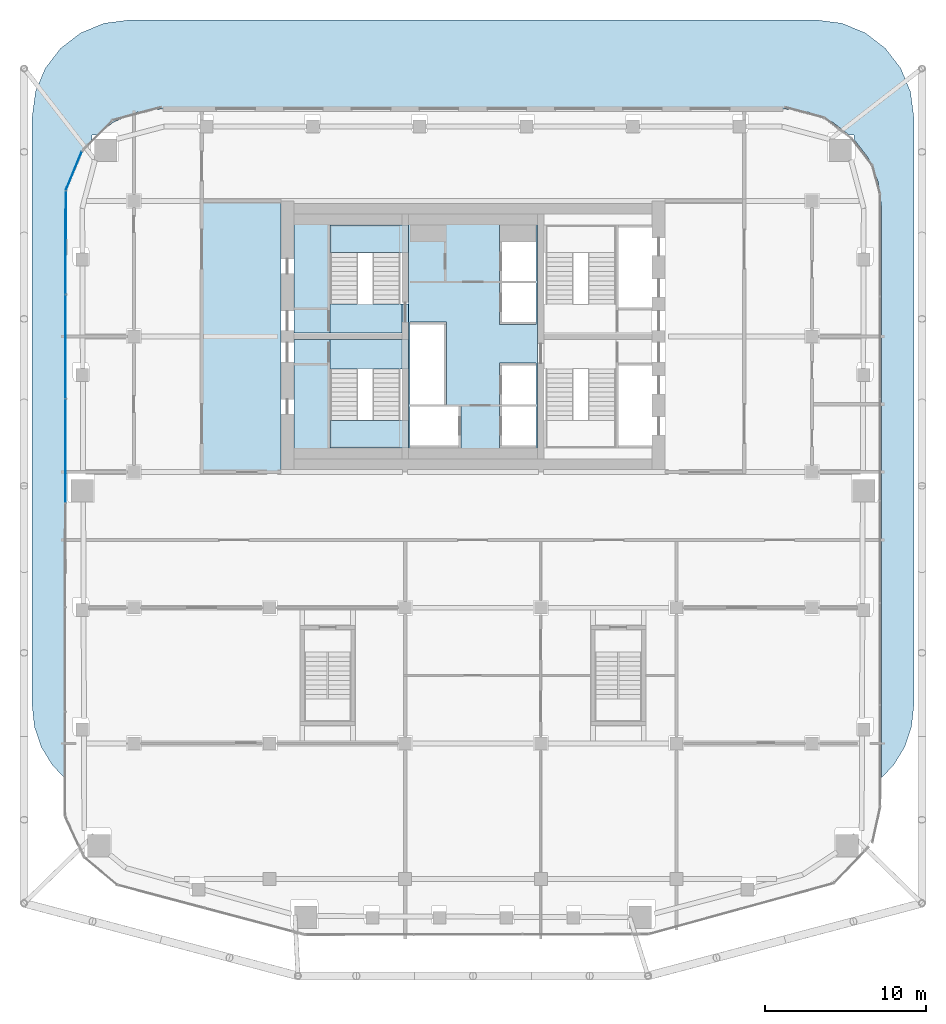
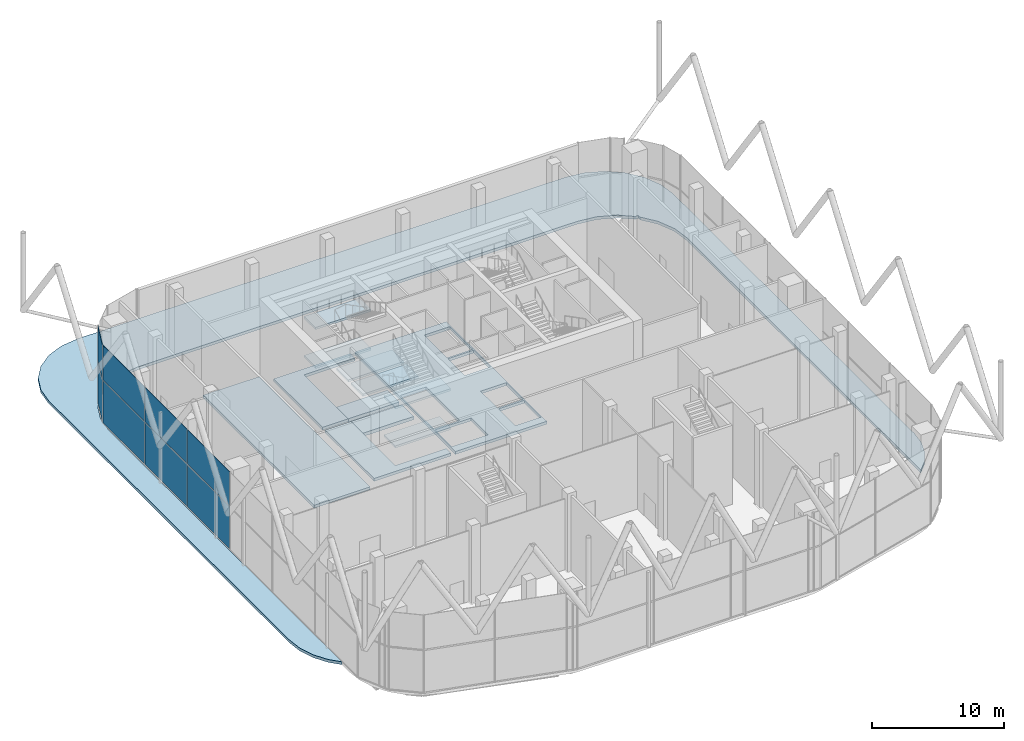
# One storey, part 16 of 25: 13 slabs, 8 plates, 4 elements without a shape of their own.
"""IFC4 building model written with IfcOpenShell, lengths in metres."""

from ifc_helpers import new_model, si_unit, direction, frame, origin, origin_2d, place, context, subcontext, project, spatial, polyline, rectangle, outline, extrude, material, layer, layer_set, type_object, element, aggregate, save


model = new_model("IFC4")

# Units and contexts
model_context = context("Model", 3, precision=1e-05, world=origin(), true_north=direction((0.0, 1.0)))
body_context = subcontext(model_context, "Body", "Model", "MODEL_VIEW")
ifc_project = project(units=[si_unit("LENGTHUNIT", "METRE"), si_unit("AREAUNIT", "SQUARE_METRE"), si_unit("VOLUMEUNIT", "CUBIC_METRE"), si_unit("PLANEANGLEUNIT", "RADIAN"), si_unit("MASSUNIT", "GRAM", prefix="KILO")], contexts=[model_context])

# Site, building, storey
site_placement = place(None, origin())
site = spatial("IfcSite", under=ifc_project, at=site_placement, CompositionType="ELEMENT")
building_placement = place(site_placement, origin())
building = spatial("IfcBuilding", under=site, at=building_placement, Name="Marenta Gate Hotel Tower", CompositionType="ELEMENT")
storey_placement = place(building_placement, frame((0.0, 0.0, 180.5)))
storey = spatial("IfcBuildingStorey", under=building, at=storey_placement, Name="L41", CompositionType="ELEMENT", Elevation=180.5)

# Slabs
ifc_material_1 = material(Name="Concrete C40", Category="concrete")
ifc_layer_1 = layer(ifc_material_1, 0.260009765625)
ifc_layer_set_1 = layer_set([ifc_layer_1], Name="Concrete C40")
slab_type_1 = type_object("IfcSlabType", Name="Core floor slab 260", PredefinedType="FLOOR", material=ifc_layer_set_1)
slab_1_placement = place(storey_placement, frame((0.0, 0.0, -0.260009765625)))
element("IfcSlab", 1, at=slab_1_placement, inside=storey, type_object=slab_type_1, Name="L41-CF-4", PredefinedType="FLOOR", context=body_context, shape_type="SweptSolid", body=[
    extrude(outline(polyline([(4.0, 15.300048828125), (4.0, 10.39990234375), (4.0, 6.39990234375), (4.0, 1.5), (4.0, 0.800048828125), (-4.0, 0.800048828125), (-4.0, 1.5), (-4.0, 6.39990234375), (-4.0, 10.39990234375), (-4.0, 15.300048828125), (-4.0, 16.0), (4.0, 16.0), (4.0, 15.300048828125)]), holes=[polyline([(1.64990234375, 1.5), (3.89990234375, 1.5), (3.89990234375, 1.64990234375), (3.89990234375, 4.050048828125), (1.800048828125, 4.050048828125), (1.64990234375, 4.050048828125), (1.64990234375, 1.64990234375), (1.64990234375, 1.5)]), polyline([(1.64990234375, 6.60009765625), (1.64990234375, 4.199951171875), (1.800048828125, 4.199951171875), (3.89990234375, 4.199951171875), (3.89990234375, 6.60009765625), (3.89990234375, 6.75), (1.64990234375, 6.75), (1.64990234375, 6.60009765625)]), polyline([(1.64990234375, 9.14990234375), (3.89990234375, 9.14990234375), (3.89990234375, 9.300048828125), (3.89990234375, 11.699951171875), (1.800048828125, 11.699951171875), (1.64990234375, 11.699951171875), (1.64990234375, 9.300048828125), (1.64990234375, 9.14990234375)]), polyline([(1.64990234375, 15.300048828125), (1.64990234375, 14.25), (1.64990234375, 11.85009765625), (1.800048828125, 11.85009765625), (3.89990234375, 11.85009765625), (3.89990234375, 14.25), (3.89990234375, 15.300048828125), (1.64990234375, 15.300048828125)]), polyline([(-3.89990234375, 4.050048828125), (-3.89990234375, 1.64990234375), (-3.89990234375, 1.5), (-0.89990234375, 1.5), (-0.75, 1.5), (-0.75, 4.050048828125), (-0.89990234375, 4.050048828125), (-3.89990234375, 4.050048828125)]), polyline([(-1.800048828125, 4.199951171875), (-1.64990234375, 4.199951171875), (-1.64990234375, 9.14990234375), (-1.64990234375, 9.300048828125), (-3.89990234375, 9.300048828125), (-3.89990234375, 9.14990234375), (-3.89990234375, 6.75), (-3.89990234375, 6.60009765625), (-3.89990234375, 4.199951171875), (-1.800048828125, 4.199951171875)])]), origin(), (0.0, 0.0, 1.0), 0.260009765625),
])
slab_2_placement = place(storey_placement, frame((0.0, 0.0, -0.260009765625)))
element("IfcSlab", 2, at=slab_2_placement, inside=storey, type_object=slab_type_1, Name="L41-CF-5", PredefinedType="FLOOR", context=body_context, shape_type="SweptSolid", body=[
    extrude(outline(polyline([(-8.85009765625, 8.199951171875), (-8.85009765625, 8.10009765625), (-8.85009765625, 6.39990234375), (-8.85009765625, 1.5), (-4.39990234375, 1.5), (-4.39990234375, 0.800048828125), (-11.10009765625, 0.800048828125), (-11.10009765625, 8.199951171875), (-8.85009765625, 8.199951171875)])), origin(), (0.0, 0.0, 1.0), 0.260009765625),
])
slab_3_placement = place(storey_placement, frame((0.0, 0.0, -0.260009765625)))
element("IfcSlab", 3, at=slab_3_placement, inside=storey, type_object=slab_type_1, Name="L41-CF-6", PredefinedType="FLOOR", context=body_context, shape_type="SweptSolid", body=[
    extrude(outline(polyline([(-4.39990234375, 15.300048828125), (-8.85009765625, 15.300048828125), (-8.85009765625, 10.39990234375), (-8.85009765625, 8.699951171875), (-8.85009765625, 8.60009765625), (-11.10009765625, 8.60009765625), (-11.10009765625, 16.0), (-4.39990234375, 16.0), (-4.39990234375, 15.300048828125)])), origin(), (0.0, 0.0, 1.0), 0.260009765625),
])
slab_4_placement = place(storey_placement, frame((0.0, 0.0, -0.260009765625)))
element("IfcSlab", 4, at=slab_4_placement, inside=storey, type_object=slab_type_1, Name="L41-CF-7", PredefinedType="FLOOR", context=body_context, shape_type="SweptSolid", body=[
    extrude(outline(polyline([(-11.89990234375, 16.800048828125), (-11.89990234375, 0.0), (-16.800048828125, 0.0), (-16.800048828125, 16.800048828125), (-11.89990234375, 16.800048828125)])), origin(), (0.0, 0.0, 1.0), 0.260009765625),
])

# Stair, slabs
ifc_material_2 = material(Name="Concrete C40", Category="concrete")
stair_type = type_object("IfcStairType", Name="Core exit stair 1700 wide", PredefinedType="HALF_TURN_STAIR", material=ifc_material_2)
stair_1_placement = place(storey_placement, origin())
stair_1 = element("IfcStair", 5, at=stair_1_placement, inside=storey, type_object=stair_type, Name="Exit stair 1", PredefinedType="HALF_TURN_STAIR")
ifc_material_3 = material(Name="Concrete C40", Category="concrete")
ifc_layer_2 = layer(ifc_material_3, 0.199951171875)
ifc_layer_set_2 = layer_set([ifc_layer_2], Name="Concrete C40")
slab_type_2 = type_object("IfcSlabType", Name="Core stair landing 200", PredefinedType="LANDING", material=ifc_layer_set_2)
slab_5_placement = place(storey_placement, frame((0.0, 0.0, 1.60009765625)))
slab_5 = element("IfcSlab", 6, at=slab_5_placement, type_object=slab_type_2, Name="SL-200 ST1 landing 1", PredefinedType="LANDING", context=body_context, shape_type="SweptSolid", body=[
    extrude(outline(polyline([(-8.85009765625, 1.5), (-4.0, 1.5), (-4.0, 3.2099609375), (-8.85009765625, 3.2099609375), (-8.85009765625, 1.5)])), origin(), (0.0, 0.0, 1.0), 0.199951171875),
])
slab_6_placement = place(storey_placement, frame((0.0, 0.0, 3.39990234375)))
slab_6 = element("IfcSlab", 7, at=slab_6_placement, type_object=slab_type_2, Name="SL-200 ST1 landing 2", PredefinedType="LANDING", context=body_context, shape_type="SweptSolid", body=[
    extrude(outline(polyline([(-8.85009765625, 6.39990234375), (-4.0, 6.39990234375), (-4.0, 8.199951171875), (-8.85009765625, 8.199951171875), (-8.85009765625, 6.39990234375)])), origin(), (0.0, 0.0, 1.0), 0.2001953125),
])
slab_7_placement = place(storey_placement, frame((0.0, 0.0, 5.199951171875)))
slab_7 = element("IfcSlab", 8, at=slab_7_placement, type_object=slab_type_2, Name="SL-200 ST1 landing 3", PredefinedType="LANDING", context=body_context, shape_type="SweptSolid", body=[
    extrude(outline(polyline([(-8.85009765625, 1.5), (-4.0, 1.5), (-4.0, 3.2099609375), (-8.85009765625, 3.2099609375), (-8.85009765625, 1.5)])), origin(), (0.0, 0.0, 1.0), 0.199951171875),
])
aggregate(stair_1, [slab_5, slab_6, slab_7])

stair_2_placement = place(storey_placement, origin())
stair_2 = element("IfcStair", 9, at=stair_2_placement, inside=storey, type_object=stair_type, Name="Exit stair 2", PredefinedType="HALF_TURN_STAIR")
slab_8_placement = place(storey_placement, frame((0.0, 0.0, 1.60009765625)))
slab_8 = element("IfcSlab", 10, at=slab_8_placement, type_object=slab_type_2, Name="SL-200 ST2 landing 1", PredefinedType="LANDING", context=body_context, shape_type="SweptSolid", body=[
    extrude(outline(polyline([(-8.85009765625, 13.590087890625), (-4.0, 13.590087890625), (-4.0, 15.300048828125), (-8.85009765625, 15.300048828125), (-8.85009765625, 13.590087890625)])), origin(), (0.0, 0.0, 1.0), 0.199951171875),
])
slab_9_placement = place(storey_placement, frame((0.0, 0.0, 3.39990234375)))
slab_9 = element("IfcSlab", 11, at=slab_9_placement, type_object=slab_type_2, Name="SL-200 ST2 landing 2", PredefinedType="LANDING", context=body_context, shape_type="SweptSolid", body=[
    extrude(outline(polyline([(-8.85009765625, 8.60009765625), (-4.0, 8.60009765625), (-4.0, 10.39990234375), (-8.85009765625, 10.39990234375), (-8.85009765625, 8.60009765625)])), origin(), (0.0, 0.0, 1.0), 0.2001953125),
])
slab_10_placement = place(storey_placement, frame((0.0, 0.0, 5.199951171875)))
slab_10 = element("IfcSlab", 12, at=slab_10_placement, type_object=slab_type_2, Name="SL-200 ST2 landing 3", PredefinedType="LANDING", context=body_context, shape_type="SweptSolid", body=[
    extrude(outline(polyline([(-8.85009765625, 13.590087890625), (-4.0, 13.590087890625), (-4.0, 15.300048828125), (-8.85009765625, 15.300048828125), (-8.85009765625, 13.590087890625)])), origin(), (0.0, 0.0, 1.0), 0.199951171875),
])
aggregate(stair_2, [slab_8, slab_9, slab_10])

# Curtain wall, plates
ifc_material_4 = material(Name="Tinted insulated glass in bronze anodised frame", Category="glass")
ifc_layer_3 = layer(ifc_material_4, 0.1298828125)
ifc_layer_set_3 = layer_set([ifc_layer_3], Name="Tinted insulated glass in bronze anodised frame")
curtain_wall_type = type_object("IfcCurtainWallType", Name="Sky lobby glazing CW2", PredefinedType="NOTDEFINED", material=ifc_layer_set_3)
curtain_wall_1_placement = place(storey_placement, origin())
curtain_wall_1 = element("IfcCurtainWall", 13, at=curtain_wall_1_placement, inside=storey, type_object=curtain_wall_type, Name="CW2 run G03", PredefinedType="NOTDEFINED")
ifc_material_5 = material(Name="Tinted insulated glass", Category="glass")
ifc_layer_4 = layer(ifc_material_5, 0.033935546875)
ifc_layer_set_4 = layer_set([ifc_layer_4], Name="Tinted insulated glass")
plate_type = type_object("IfcPlateType", Name="Glass panel CW2 34 mm tinted insulated unit", PredefinedType="CURTAIN_PANEL", material=ifc_layer_set_4)
plate_1_placement = place(storey_placement, frame((-24.72802734375, 18.648681640625, 0.080078125), z_axis=(0.0, 0.0, 1.0), x_axis=(-0.382652032761, -0.923892538028, 0.0)))
plate_1 = element("IfcPlate", 14, at=plate_1_placement, type_object=plate_type, Name="CW2 panel 1.1", PredefinedType="CURTAIN_PANEL", context=body_context, shape_type="SweptSolid", body=[
    extrude(rectangle(XDim=2.5576171875, YDim=0.033935546875, at=origin_2d()), origin(), (0.0, 0.0, 1.0), 3.8798828125),
])
plate_2_placement = place(storey_placement, frame((-24.72802734375, 18.648681640625, 4.0400390625), z_axis=(0.0, 0.0, 1.0), x_axis=(-0.382652032761, -0.923892538028, 0.0)))
plate_2 = element("IfcPlate", 15, at=plate_2_placement, type_object=plate_type, Name="CW2 panel 1.2", PredefinedType="CURTAIN_PANEL", context=body_context, shape_type="SweptSolid", body=[
    extrude(rectangle(XDim=2.5576171875, YDim=0.033935546875, at=origin_2d()), origin(), (0.0, 0.0, 1.0), 3.159912109375),
])
aggregate(curtain_wall_1, [plate_1, plate_2])

curtain_wall_2_placement = place(storey_placement, origin())
curtain_wall_2 = element("IfcCurtainWall", 16, at=curtain_wall_2_placement, inside=storey, type_object=curtain_wall_type, Name="CW2 run G04", PredefinedType="NOTDEFINED")
plate_3_placement = place(storey_placement, frame((-25.222412109375, 14.217041015625, 0.080078125), z_axis=(0.0, 0.0, 1.0), x_axis=(-0.001565960706, -0.999998773883, 0.0)))
plate_3 = element("IfcPlate", 17, at=plate_3_placement, type_object=plate_type, Name="CW2 panel 1.1", PredefinedType="CURTAIN_PANEL", context=body_context, shape_type="SweptSolid", body=[
    extrude(rectangle(XDim=6.34033203125, YDim=0.033935546875, at=origin_2d()), origin(), (0.0, 0.0, 1.0), 3.8798828125),
])
plate_4_placement = place(storey_placement, frame((-25.222412109375, 14.217041015625, 4.0400390625), z_axis=(0.0, 0.0, 1.0), x_axis=(-0.001565960706, -0.999998773883, 0.0)))
plate_4 = element("IfcPlate", 18, at=plate_4_placement, type_object=plate_type, Name="CW2 panel 1.2", PredefinedType="CURTAIN_PANEL", context=body_context, shape_type="SweptSolid", body=[
    extrude(rectangle(XDim=6.34033203125, YDim=0.033935546875, at=origin_2d()), origin(), (0.0, 0.0, 1.0), 3.159912109375),
])
plate_5_placement = place(storey_placement, frame((-25.232421875, 7.776611328125, 0.080078125), z_axis=(0.0, 0.0, 1.0), x_axis=(-0.001565960706, -0.999998773883, 0.0)))
plate_5 = element("IfcPlate", 19, at=plate_5_placement, type_object=plate_type, Name="CW2 panel 2.1", PredefinedType="CURTAIN_PANEL", context=body_context, shape_type="SweptSolid", body=[
    extrude(rectangle(XDim=6.38037109375, YDim=0.033935546875, at=origin_2d()), origin(), (0.0, 0.0, 1.0), 3.8798828125),
])
plate_6_placement = place(storey_placement, frame((-25.232421875, 7.776611328125, 4.0400390625), z_axis=(0.0, 0.0, 1.0), x_axis=(-0.001565960706, -0.999998773883, 0.0)))
plate_6 = element("IfcPlate", 20, at=plate_6_placement, type_object=plate_type, Name="CW2 panel 2.2", PredefinedType="CURTAIN_PANEL", context=body_context, shape_type="SweptSolid", body=[
    extrude(rectangle(XDim=6.38037109375, YDim=0.033935546875, at=origin_2d()), origin(), (0.0, 0.0, 1.0), 3.159912109375),
])
plate_7_placement = place(storey_placement, frame((-25.24267578125, 1.31640625, 0.080078125), z_axis=(0.0, 0.0, 1.0), x_axis=(-0.001565960706, -0.999998773883, 0.0)))
plate_7 = element("IfcPlate", 21, at=plate_7_placement, type_object=plate_type, Name="CW2 panel 3.1", PredefinedType="CURTAIN_PANEL", context=body_context, shape_type="SweptSolid", body=[
    extrude(rectangle(XDim=6.38037109375, YDim=0.033935546875, at=origin_2d()), origin(), (0.0, 0.0, 1.0), 3.8798828125),
])
plate_8_placement = place(storey_placement, frame((-25.24267578125, 1.31640625, 4.0400390625), z_axis=(0.0, 0.0, 1.0), x_axis=(-0.001565960706, -0.999998773883, 0.0)))
plate_8 = element("IfcPlate", 22, at=plate_8_placement, type_object=plate_type, Name="CW2 panel 3.2", PredefinedType="CURTAIN_PANEL", context=body_context, shape_type="SweptSolid", body=[
    extrude(rectangle(XDim=6.38037109375, YDim=0.033935546875, at=origin_2d()), origin(), (0.0, 0.0, 1.0), 3.159912109375),
])
aggregate(curtain_wall_2, [plate_3, plate_4, plate_5, plate_6, plate_7, plate_8])

# Slabs
ifc_material_6 = material(Name="Concrete C40", Category="concrete")
ifc_layer_5 = layer(ifc_material_6, 0.300048828125)
ifc_layer_set_5 = layer_set([ifc_layer_5], Name="Concrete C40")
slab_type_3 = type_object("IfcSlabType", Name="Stair floor landing slab 300", PredefinedType="FLOOR", material=ifc_layer_set_5)
slab_11_placement = place(storey_placement, frame((0.0, 0.0, -0.300048828125)))
element("IfcSlab", 23, at=slab_11_placement, inside=storey, type_object=slab_type_3, Name="L41-CL-ST1-1", PredefinedType="FLOOR", context=body_context, shape_type="SweptSolid", body=[
    extrude(outline(polyline([(-4.39990234375, 6.39990234375), (-8.85009765625, 6.39990234375), (-8.85009765625, 8.10009765625), (-8.85009765625, 8.199951171875), (-4.39990234375, 8.199951171875), (-4.39990234375, 6.39990234375)])), origin(), (0.0, 0.0, 1.0), 0.300048828125),
])
slab_12_placement = place(storey_placement, frame((0.0, 0.0, -0.300048828125)))
element("IfcSlab", 24, at=slab_12_placement, inside=storey, type_object=slab_type_3, Name="L41-CL-ST2-1", PredefinedType="FLOOR", context=body_context, shape_type="SweptSolid", body=[
    extrude(outline(polyline([(-4.39990234375, 8.60009765625), (-8.85009765625, 8.60009765625), (-8.85009765625, 8.699951171875), (-8.85009765625, 10.39990234375), (-4.39990234375, 10.39990234375), (-4.39990234375, 8.60009765625)])), origin(), (0.0, 0.0, 1.0), 0.300048828125),
])
ifc_material_7 = material(Name="Concrete C35", Category="concrete")
ifc_layer_6 = layer(ifc_material_7, 0.260009765625)
ifc_layer_set_6 = layer_set([ifc_layer_6], Name="Concrete C35")
slab_type_4 = type_object("IfcSlabType", Name="Terrace roof slab 260", PredefinedType="ROOF", material=ifc_layer_set_6)
slab_13_placement = place(storey_placement, frame((0.0, 0.0, -0.260009765625)))
element("IfcSlab", 25, at=slab_13_placement, inside=storey, type_object=slab_type_4, Name="L40-SL-T1", PredefinedType="ROOF", context=body_context, shape_type="SweptSolid", body=[
    extrude(outline(polyline([(-27.300048828125, -14.484375), (-27.300048828125, 22.0), (-27.095703125, 23.552978515625), (-26.49609375, 25.0), (-25.54248046875, 26.24267578125), (-24.300048828125, 27.1962890625), (-22.852783203125, 27.795654296875), (-21.300048828125, 28.0), (21.300048828125, 28.0), (22.852783203125, 27.795654296875), (24.300048828125, 27.1962890625), (25.54248046875, 26.24267578125), (26.49609375, 25.0), (27.095703125, 23.552978515625), (27.300048828125, 22.0), (27.300048828125, -14.484375), (27.1572265625, -15.785400390625), (26.73583984375, -17.0244140625), (26.0556640625, -18.142578125), (25.300048828125, -18.929931640625), (25.300048828125, 16.406494140625), (25.093017578125, 17.97900390625), (24.483642578125, 19.450439453125), (23.5859375, 20.619873046875), (23.5859375, 20.870361328125), (23.31005859375, 20.870361328125), (22.25048828125, 21.68359375), (20.779052734375, 22.29296875), (19.20654296875, 22.5), (-19.20654296875, 22.5), (-20.779052734375, 22.29296875), (-22.25048828125, 21.68359375), (-23.31005859375, 20.870361328125), (-23.5859375, 20.870361328125), (-23.5859375, 20.619873046875), (-24.483642578125, 19.450439453125), (-25.093017578125, 17.97900390625), (-25.300048828125, 16.406494140625), (-25.300048828125, -18.929931640625), (-26.0556640625, -18.142578125), (-26.73583984375, -17.0244140625), (-27.1572265625, -15.785400390625), (-27.300048828125, -14.484375)])), origin(), (0.0, 0.0, 1.0), 0.260009765625),
])

save(model, "model.ifc")
